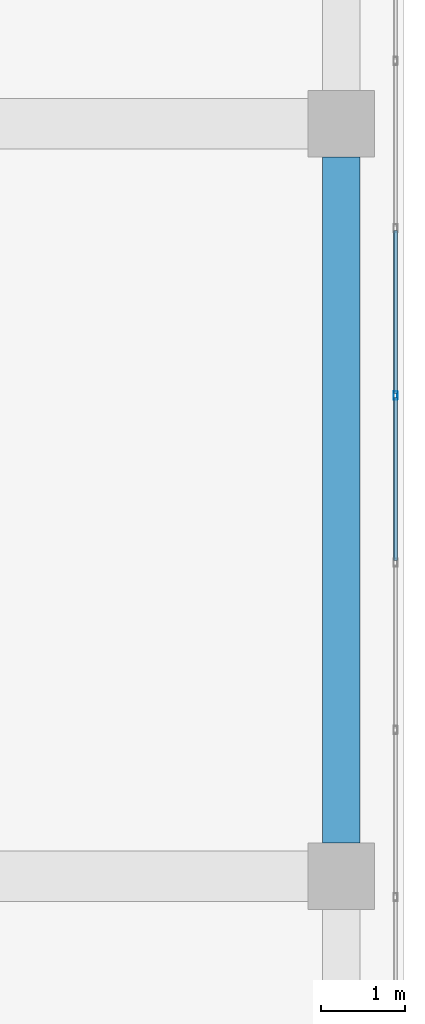
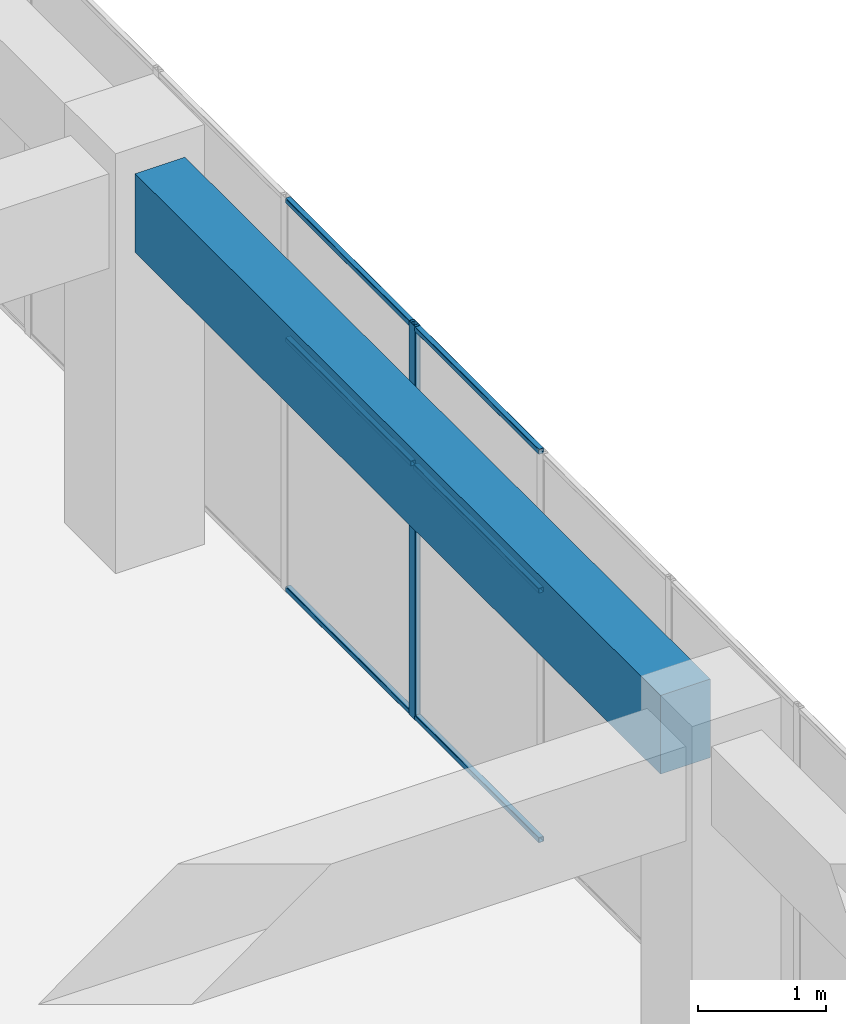
# One storey, part 40 of 66: 7 members, 1 beam, 1 element without a shape of its own.
"""IFC4 building model written with IfcOpenShell, lengths in metres."""

from ifc_helpers import new_model, si_unit, direction, frame, origin, origin_2d, place, context, subcontext, project, spatial, rectangle, hollow_rectangle, extrude, material, layer, layer_set, material_profile, profile_set, type_object, element, aggregate, save


model = new_model("IFC4")

# Units and contexts
model_context = context("Model", 3, precision=1e-05, world=origin(), true_north=direction((0.0, 1.0)))
body_context = subcontext(model_context, "Body", "Model", "MODEL_VIEW")
ifc_project = project(units=[si_unit("LENGTHUNIT", "METRE"), si_unit("AREAUNIT", "SQUARE_METRE"), si_unit("VOLUMEUNIT", "CUBIC_METRE"), si_unit("PLANEANGLEUNIT", "RADIAN"), si_unit("MASSUNIT", "GRAM", prefix="KILO")], contexts=[model_context])

# Site, building, storey
site_placement = place(None, origin())
site = spatial("IfcSite", under=ifc_project, at=site_placement, CompositionType="ELEMENT")
building_placement = place(site_placement, origin())
building = spatial("IfcBuilding", under=site, at=building_placement, Name="Tuart Plaza Theatre", CompositionType="ELEMENT")
storey_placement = place(building_placement, frame((0.0, 0.0, 5.5)))
storey = spatial("IfcBuildingStorey", under=building, at=storey_placement, Name="L01", CompositionType="ELEMENT", Elevation=5.5)

# Beam
ifc_material_1 = material(Name="Concrete N40 (40 MPa)", Category="concrete")
ifc_material_profile_1 = material_profile(ifc_material_1, rectangle(XDim=0.449951171875, YDim=0.75, at=origin_2d()), Name="BEAM 450x750 Concrete N40 (40 MPa)")
ifc_profile_set_1 = profile_set([ifc_material_profile_1], Name="Concrete N40 (40 MPa)")
beam_type = type_object("IfcBeamType", Name="BEAM 450x750 Concrete N40 (40 MPa)", PredefinedType="BEAM", material=ifc_profile_set_1)
beam_placement = place(storey_placement, frame((150.0, 65.39990234375, 3.375), z_axis=(0.0, 1.0, 0.0), x_axis=(-1.0, 0.0, 0.0)))
element("IfcBeam", 1, at=beam_placement, inside=storey, type_object=beam_type, Name="RB199", PredefinedType="BEAM", context=body_context, shape_type="SweptSolid", body=[
    extrude(rectangle(XDim=0.449951171875, YDim=0.75, at=origin_2d()), origin(), (0.0, 0.0, 1.0), 8.2001953125),
])

# Curtain wall, members
ifc_material_2 = material(Name="Aluminium and glass", Category="aluminium")
ifc_layer = layer(ifc_material_2, 0.10009765625)
ifc_layer_set = layer_set([ifc_layer], Name="CURTAIN WALL 2000 module")
curtain_wall_type = type_object("IfcCurtainWallType", Name="CURTAIN WALL 2000 module", PredefinedType="NOTDEFINED", material=ifc_layer_set)
curtain_wall_placement = place(storey_placement, origin())
curtain_wall = element("IfcCurtainWall", 2, at=curtain_wall_placement, inside=storey, type_object=curtain_wall_type, Name="CW69", PredefinedType="NOTDEFINED")
ifc_material_3 = material(Name="Aluminium 6063-T5", Category="aluminium")
ifc_material_profile_2 = material_profile(ifc_material_3, hollow_rectangle(XDim=0.050048828125, YDim=0.10009765625, WallThickness=0.00390625, InnerFilletRadius=0.00390625, OuterFilletRadius=0.008056640625, at=origin_2d()), Name="RHS 100x50x4")
ifc_profile_set_2 = profile_set([ifc_material_profile_2], Name="Aluminium 6063-T5")
member_type_1 = type_object("IfcMemberType", Name="MULLION RHS 100x50x4", PredefinedType="MULLION", material=ifc_profile_set_2)
member_1_placement = place(storey_placement, frame((150.64990234375, 70.75, 0.0), z_axis=(0.0, 0.0, 1.0), x_axis=(-1.0, 0.0, 0.0)))
member_1 = element("IfcMember", 3, at=member_1_placement, type_object=member_type_1, Name="CW69 mullion 11", PredefinedType="MULLION", context=body_context, shape_type="SweptSolid", body=[
    extrude(hollow_rectangle(XDim=0.050048828125, YDim=0.10009765625, WallThickness=0.00390625, InnerFilletRadius=0.00390625, OuterFilletRadius=0.008056640625, at=origin_2d()), origin(), (0.0, 0.0, 1.0), 3.75),
])
ifc_material_4 = material(Name="Aluminium 6063-T5", Category="aluminium")
ifc_material_profile_3 = material_profile(ifc_material_4, hollow_rectangle(XDim=0.050048828125, YDim=0.050048828125, WallThickness=0.00390625, InnerFilletRadius=0.00390625, OuterFilletRadius=0.008056640625, at=origin_2d()), Name="RHS 50x50x4")
ifc_profile_set_3 = profile_set([ifc_material_profile_3], Name="Aluminium 6063-T5")
member_type_2 = type_object("IfcMemberType", Name="TRANSOM RHS 50x50x4", PredefinedType="USERDEFINED", material=ifc_profile_set_3)
member_2_placement = place(storey_placement, frame((150.64990234375, 68.77490234375, 0.02490234375), z_axis=(0.0, 1.0, 0.0), x_axis=(-1.0, 0.0, 0.0)))
member_2 = element("IfcMember", 4, at=member_2_placement, type_object=member_type_2, Name="CW69 transom 10.1", ObjectType="TRANSOM", PredefinedType="USERDEFINED", context=body_context, shape_type="SweptSolid", body=[
    extrude(hollow_rectangle(XDim=0.050048828125, YDim=0.050048828125, WallThickness=0.00390625, InnerFilletRadius=0.00390625, OuterFilletRadius=0.008056640625, at=origin_2d()), origin(), (0.0, 0.0, 1.0), 1.9501953125),
])
member_3_placement = place(storey_placement, frame((150.64990234375, 68.77490234375, 2.39990234375), z_axis=(0.0, 1.0, 0.0), x_axis=(-1.0, 0.0, 0.0)))
member_3 = element("IfcMember", 5, at=member_3_placement, type_object=member_type_2, Name="CW69 transom 10.2", ObjectType="TRANSOM", PredefinedType="USERDEFINED", context=body_context, shape_type="SweptSolid", body=[
    extrude(hollow_rectangle(XDim=0.050048828125, YDim=0.050048828125, WallThickness=0.00390625, InnerFilletRadius=0.00390625, OuterFilletRadius=0.008056640625, at=origin_2d()), origin(), (0.0, 0.0, 1.0), 1.9501953125),
])
member_4_placement = place(storey_placement, frame((150.64990234375, 68.77490234375, 3.72509765625), z_axis=(0.0, 1.0, 0.0), x_axis=(-1.0, 0.0, 0.0)))
member_4 = element("IfcMember", 6, at=member_4_placement, type_object=member_type_2, Name="CW69 transom 10.3", ObjectType="TRANSOM", PredefinedType="USERDEFINED", context=body_context, shape_type="SweptSolid", body=[
    extrude(hollow_rectangle(XDim=0.050048828125, YDim=0.050048828125, WallThickness=0.00390625, InnerFilletRadius=0.00390625, OuterFilletRadius=0.008056640625, at=origin_2d()), origin(), (0.0, 0.0, 1.0), 1.9501953125),
])
member_5_placement = place(storey_placement, frame((150.64990234375, 70.77490234375, 0.02490234375), z_axis=(0.0, 1.0, 0.0), x_axis=(-1.0, 0.0, 0.0)))
member_5 = element("IfcMember", 7, at=member_5_placement, type_object=member_type_2, Name="CW69 transom 11.1", ObjectType="TRANSOM", PredefinedType="USERDEFINED", context=body_context, shape_type="SweptSolid", body=[
    extrude(hollow_rectangle(XDim=0.050048828125, YDim=0.050048828125, WallThickness=0.00390625, InnerFilletRadius=0.00390625, OuterFilletRadius=0.008056640625, at=origin_2d()), origin(), (0.0, 0.0, 1.0), 1.9501953125),
])
member_6_placement = place(storey_placement, frame((150.64990234375, 70.77490234375, 2.39990234375), z_axis=(0.0, 1.0, 0.0), x_axis=(-1.0, 0.0, 0.0)))
member_6 = element("IfcMember", 8, at=member_6_placement, type_object=member_type_2, Name="CW69 transom 11.2", ObjectType="TRANSOM", PredefinedType="USERDEFINED", context=body_context, shape_type="SweptSolid", body=[
    extrude(hollow_rectangle(XDim=0.050048828125, YDim=0.050048828125, WallThickness=0.00390625, InnerFilletRadius=0.00390625, OuterFilletRadius=0.008056640625, at=origin_2d()), origin(), (0.0, 0.0, 1.0), 1.9501953125),
])
member_7_placement = place(storey_placement, frame((150.64990234375, 70.77490234375, 3.72509765625), z_axis=(0.0, 1.0, 0.0), x_axis=(-1.0, 0.0, 0.0)))
member_7 = element("IfcMember", 9, at=member_7_placement, type_object=member_type_2, Name="CW69 transom 11.3", ObjectType="TRANSOM", PredefinedType="USERDEFINED", context=body_context, shape_type="SweptSolid", body=[
    extrude(hollow_rectangle(XDim=0.050048828125, YDim=0.050048828125, WallThickness=0.00390625, InnerFilletRadius=0.00390625, OuterFilletRadius=0.008056640625, at=origin_2d()), origin(), (0.0, 0.0, 1.0), 1.9501953125),
])
aggregate(curtain_wall, [member_1, member_2, member_3, member_4, member_5, member_6, member_7])

save(model, "model.ifc")
